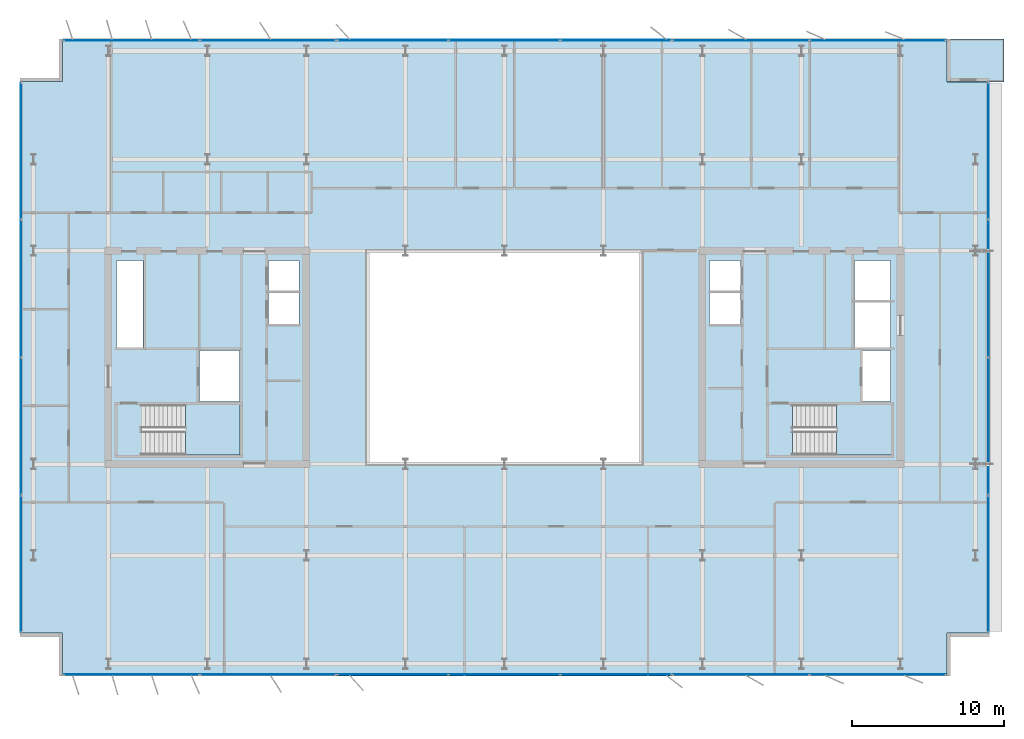
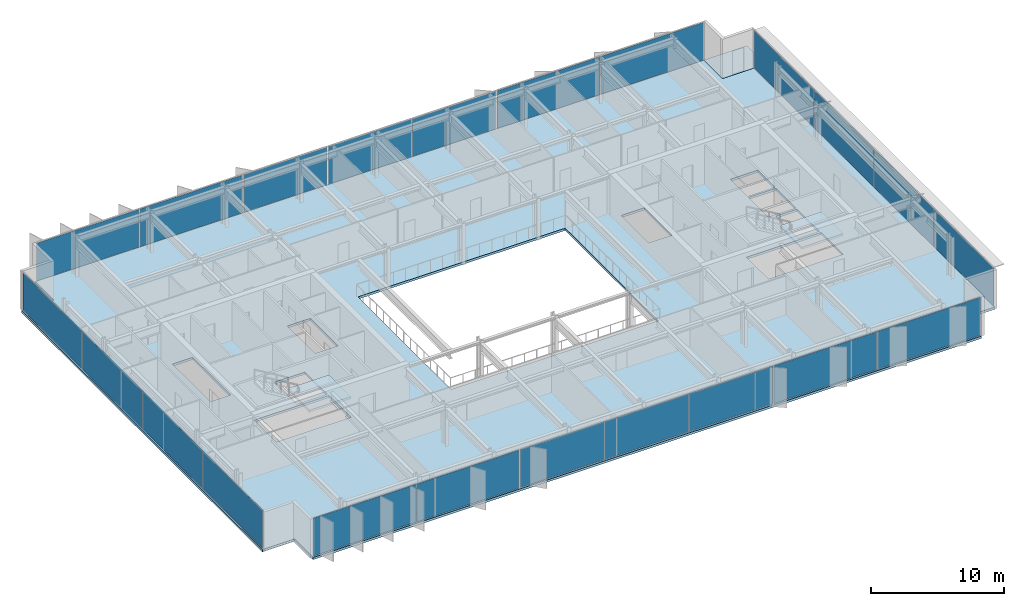
# One storey, part 10 of 19: 22 plates, 4 slabs, 10 elements without a shape of their own.
"""IFC4 building model written with IfcOpenShell, lengths in metres."""

from ifc_helpers import new_model, si_unit, direction, frame, origin, origin_2d, place, context, subcontext, project, spatial, polyline, rectangle, outline, extrude, material, layer, layer_set, type_object, element, aggregate, save


model = new_model("IFC4")

# Units and contexts
model_context = context("Model", 3, precision=1e-05, world=origin(), true_north=direction((0.0, 1.0)))
body_context = subcontext(model_context, "Body", "Model", "MODEL_VIEW")
ifc_project = project(units=[si_unit("LENGTHUNIT", "METRE"), si_unit("AREAUNIT", "SQUARE_METRE"), si_unit("VOLUMEUNIT", "CUBIC_METRE"), si_unit("PLANEANGLEUNIT", "RADIAN"), si_unit("MASSUNIT", "GRAM", prefix="KILO")], contexts=[model_context])

# Site, building, storey
site_placement = place(None, origin())
site = spatial("IfcSite", under=ifc_project, at=site_placement, CompositionType="ELEMENT")
building_placement = place(site_placement, origin())
building = spatial("IfcBuilding", under=site, at=building_placement, Name="Putna Gate Headquarters", CompositionType="ELEMENT")
storey_placement = place(building_placement, frame((0.0, 0.0, 259.39990234375)))
storey = spatial("IfcBuildingStorey", under=building, at=storey_placement, Name="L65", CompositionType="ELEMENT", Elevation=259.39990234375)

# Stair, slab
ifc_material_1 = material(Name="Concrete C40/50", Category="concrete")
stair_type_1 = type_object("IfcStairType", Name="STAIR-ST1", PredefinedType="HALF_TURN_STAIR", material=ifc_material_1)
stair_1_placement = place(storey_placement, origin())
stair_1 = element("IfcStair", 1, at=stair_1_placement, inside=storey, type_object=stair_type_1, Name="L65 West Core Exit Stair ST1", PredefinedType="HALF_TURN_STAIR")
ifc_layer_1 = layer(ifc_material_1, 0.199951171875)
ifc_layer_set_1 = layer_set([ifc_layer_1], Name="Concrete C40/50")
slab_type_1 = type_object("IfcSlabType", Name="LANDING-ST1", PredefinedType="LANDING", material=ifc_layer_set_1)
slab_1_placement = place(storey_placement, frame((0.0, 0.0, 1.7001953125)))
slab_1 = element("IfcSlab", 2, at=slab_1_placement, type_object=slab_type_1, Name="ST1 landing 1", PredefinedType="LANDING", context=body_context, shape_type="SweptSolid", body=[
    extrude(outline(polyline([(18.050048828125, 19.60009765625), (21.64990234375, 19.60009765625), (21.64990234375, 22.89990234375), (18.050048828125, 22.89990234375), (18.050048828125, 19.60009765625)])), origin(), (0.0, 0.0, 1.0), 0.199951171875),
])
aggregate(stair_1, [slab_1])

stair_type_2 = type_object("IfcStairType", Name="STAIR-ST2", PredefinedType="HALF_TURN_STAIR", material=ifc_material_1)
stair_2_placement = place(storey_placement, origin())
stair_2 = element("IfcStair", 3, at=stair_2_placement, inside=storey, type_object=stair_type_2, Name="L65 East Core Exit Stair ST2", PredefinedType="HALF_TURN_STAIR")
ifc_layer_2 = layer(ifc_material_1, 0.199951171875)
ifc_layer_set_2 = layer_set([ifc_layer_2], Name="Concrete C40/50")
slab_type_2 = type_object("IfcSlabType", Name="LANDING-ST2", PredefinedType="LANDING", material=ifc_layer_set_2)
slab_2_placement = place(storey_placement, frame((0.0, 0.0, 1.7001953125)))
slab_2 = element("IfcSlab", 4, at=slab_2_placement, type_object=slab_type_2, Name="ST2 landing 1", PredefinedType="LANDING", context=body_context, shape_type="SweptSolid", body=[
    extrude(outline(polyline([(60.800048828125, 19.60009765625), (64.39990234375, 19.60009765625), (64.39990234375, 22.89990234375), (60.800048828125, 22.89990234375), (60.800048828125, 19.60009765625)])), origin(), (0.0, 0.0, 1.0), 0.199951171875),
])
aggregate(stair_2, [slab_2])

# Curtain wall, plates
ifc_material_2 = material(Name="Anodised bronze aluminium curtain wall", Category="aluminium")
ifc_layer_3 = layer(ifc_material_2, 0.179931640625)
ifc_layer_set_3 = layer_set([ifc_layer_3], Name="Anodised bronze aluminium curtain wall")
curtain_wall_type_1 = type_object("IfcCurtainWallType", Name="CW-SYS-Z5", PredefinedType="USERDEFINED", material=ifc_layer_set_3)
curtain_wall_1_placement = place(storey_placement, origin())
curtain_wall_1 = element("IfcCurtainWall", 5, at=curtain_wall_1_placement, inside=storey, type_object=curtain_wall_type_1, Name="L65 South West Curtain Wall", ObjectType="STICK CURTAIN WALL", PredefinedType="USERDEFINED")
ifc_material_3 = material(Name="Solar-control triple low-E glass", Category="glass")
ifc_layer_4 = layer(ifc_material_3, 0.033935546875)
ifc_layer_set_4 = layer_set([ifc_layer_4], Name="Solar-control triple low-E glass")
plate_type_1 = type_object("IfcPlateType", Name="PAN-CWP-5", PredefinedType="CURTAIN_PANEL", material=ifc_layer_set_4)
plate_1_placement = place(storey_placement, frame((14.517578125, 5.179931640625, 0.06005859375), z_axis=(0.0, 0.0, 1.0), x_axis=(1.0, 0.0, 0.0)))
plate_1 = element("IfcPlate", 6, at=plate_1_placement, type_object=plate_type_1, Name="CWS-5 panel 1.1", PredefinedType="CURTAIN_PANEL", context=body_context, shape_type="SweptSolid", body=[
    extrude(rectangle(XDim=8.89501953125, YDim=0.033935546875, at=origin_2d()), origin(), (0.0, 0.0, 1.0), 3.468017578125),
])
plate_2_placement = place(storey_placement, frame((23.482421875, 5.179931640625, 0.06005859375), z_axis=(0.0, 0.0, 1.0), x_axis=(1.0, 0.0, 0.0)))
plate_2 = element("IfcPlate", 7, at=plate_2_placement, type_object=plate_type_1, Name="CWS-5 panel 2.1", PredefinedType="CURTAIN_PANEL", context=body_context, shape_type="SweptSolid", body=[
    extrude(rectangle(XDim=8.89501953125, YDim=0.033935546875, at=origin_2d()), origin(), (0.0, 0.0, 1.0), 3.468017578125),
])
aggregate(curtain_wall_1, [plate_1, plate_2])

curtain_wall_2_placement = place(storey_placement, origin())
curtain_wall_2 = element("IfcCurtainWall", 8, at=curtain_wall_2_placement, inside=storey, type_object=curtain_wall_type_1, Name="L65 South East Curtain Wall", ObjectType="STICK CURTAIN WALL", PredefinedType="USERDEFINED")
plate_3_placement = place(storey_placement, frame((54.529541015625, 5.179931640625, 0.06005859375), z_axis=(0.0, 0.0, 1.0), x_axis=(1.0, 0.0, 0.0)))
plate_3 = element("IfcPlate", 9, at=plate_3_placement, type_object=plate_type_1, Name="CWS-5 panel 1.1", PredefinedType="CURTAIN_PANEL", context=body_context, shape_type="SweptSolid", body=[
    extrude(rectangle(XDim=8.9189453125, YDim=0.033935546875, at=origin_2d()), origin(), (0.0, 0.0, 1.0), 3.468017578125),
])
plate_4_placement = place(storey_placement, frame((63.518310546875, 5.179931640625, 0.06005859375), z_axis=(0.0, 0.0, 1.0), x_axis=(1.0, 0.0, 0.0)))
plate_4 = element("IfcPlate", 10, at=plate_4_placement, type_object=plate_type_1, Name="CWS-5 panel 2.1", PredefinedType="CURTAIN_PANEL", context=body_context, shape_type="SweptSolid", body=[
    extrude(rectangle(XDim=8.9189453125, YDim=0.033935546875, at=origin_2d()), origin(), (0.0, 0.0, 1.0), 3.468017578125),
])
aggregate(curtain_wall_2, [plate_3, plate_4])

curtain_wall_3_placement = place(storey_placement, origin())
curtain_wall_3 = element("IfcCurtainWall", 11, at=curtain_wall_3_placement, inside=storey, type_object=curtain_wall_type_1, Name="L65 North West Curtain Wall", ObjectType="STICK CURTAIN WALL", PredefinedType="USERDEFINED")
plate_5_placement = place(storey_placement, frame((14.517578125, 46.820068359375, 0.06005859375), z_axis=(0.0, 0.0, 1.0), x_axis=(1.0, 0.0, 0.0)))
plate_5 = element("IfcPlate", 12, at=plate_5_placement, type_object=plate_type_1, Name="CWS-5 panel 1.1", PredefinedType="CURTAIN_PANEL", context=body_context, shape_type="SweptSolid", body=[
    extrude(rectangle(XDim=8.89501953125, YDim=0.033935546875, at=origin_2d()), origin(), (0.0, 0.0, 1.0), 3.468017578125),
])
plate_6_placement = place(storey_placement, frame((23.482421875, 46.820068359375, 0.06005859375), z_axis=(0.0, 0.0, 1.0), x_axis=(1.0, 0.0, 0.0)))
plate_6 = element("IfcPlate", 13, at=plate_6_placement, type_object=plate_type_1, Name="CWS-5 panel 2.1", PredefinedType="CURTAIN_PANEL", context=body_context, shape_type="SweptSolid", body=[
    extrude(rectangle(XDim=8.89501953125, YDim=0.033935546875, at=origin_2d()), origin(), (0.0, 0.0, 1.0), 3.468017578125),
])
aggregate(curtain_wall_3, [plate_5, plate_6])

curtain_wall_4_placement = place(storey_placement, origin())
curtain_wall_4 = element("IfcCurtainWall", 14, at=curtain_wall_4_placement, inside=storey, type_object=curtain_wall_type_1, Name="L65 North East Curtain Wall", ObjectType="STICK CURTAIN WALL", PredefinedType="USERDEFINED")
plate_7_placement = place(storey_placement, frame((54.529541015625, 46.820068359375, 0.06005859375), z_axis=(0.0, 0.0, 1.0), x_axis=(1.0, 0.0, 0.0)))
plate_7 = element("IfcPlate", 15, at=plate_7_placement, type_object=plate_type_1, Name="CWS-5 panel 1.1", PredefinedType="CURTAIN_PANEL", context=body_context, shape_type="SweptSolid", body=[
    extrude(rectangle(XDim=8.9189453125, YDim=0.033935546875, at=origin_2d()), origin(), (0.0, 0.0, 1.0), 3.468017578125),
])
plate_8_placement = place(storey_placement, frame((63.518310546875, 46.820068359375, 0.06005859375), z_axis=(0.0, 0.0, 1.0), x_axis=(1.0, 0.0, 0.0)))
plate_8 = element("IfcPlate", 16, at=plate_8_placement, type_object=plate_type_1, Name="CWS-5 panel 2.1", PredefinedType="CURTAIN_PANEL", context=body_context, shape_type="SweptSolid", body=[
    extrude(rectangle(XDim=8.9189453125, YDim=0.033935546875, at=origin_2d()), origin(), (0.0, 0.0, 1.0), 3.468017578125),
])
aggregate(curtain_wall_4, [plate_7, plate_8])

curtain_wall_5_placement = place(storey_placement, origin())
curtain_wall_5 = element("IfcCurtainWall", 17, at=curtain_wall_5_placement, inside=storey, type_object=curtain_wall_type_1, Name="L65 West Curtain Wall", ObjectType="STICK CURTAIN WALL", PredefinedType="USERDEFINED")
plate_9_placement = place(storey_placement, frame((7.280029296875, 12.4423828125, 0.06005859375), z_axis=(0.0, 0.0, 1.0), x_axis=(0.0, 1.0, 0.0)))
plate_9 = element("IfcPlate", 18, at=plate_9_placement, type_object=plate_type_1, Name="CWS-5 panel 1.1", PredefinedType="CURTAIN_PANEL", context=body_context, shape_type="SweptSolid", body=[
    extrude(rectangle(XDim=8.945068359375, YDim=0.033935546875, at=origin_2d()), origin(), (0.0, 0.0, 1.0), 3.468017578125),
])
plate_10_placement = place(storey_placement, frame((7.280029296875, 21.47509765625, 0.06005859375), z_axis=(0.0, 0.0, 1.0), x_axis=(0.0, 1.0, 0.0)))
plate_10 = element("IfcPlate", 19, at=plate_10_placement, type_object=plate_type_1, Name="CWS-5 panel 2.1", PredefinedType="CURTAIN_PANEL", context=body_context, shape_type="SweptSolid", body=[
    extrude(rectangle(XDim=8.97998046875, YDim=0.033935546875, at=origin_2d()), origin(), (0.0, 0.0, 1.0), 3.468017578125),
])
plate_11_placement = place(storey_placement, frame((7.280029296875, 30.52490234375, 0.06005859375), z_axis=(0.0, 0.0, 1.0), x_axis=(0.0, 1.0, 0.0)))
plate_11 = element("IfcPlate", 20, at=plate_11_placement, type_object=plate_type_1, Name="CWS-5 panel 3.1", PredefinedType="CURTAIN_PANEL", context=body_context, shape_type="SweptSolid", body=[
    extrude(rectangle(XDim=8.97998046875, YDim=0.033935546875, at=origin_2d()), origin(), (0.0, 0.0, 1.0), 3.468017578125),
])
plate_12_placement = place(storey_placement, frame((7.280029296875, 39.5576171875, 0.06005859375), z_axis=(0.0, 0.0, 1.0), x_axis=(0.0, 1.0, 0.0)))
plate_12 = element("IfcPlate", 21, at=plate_12_placement, type_object=plate_type_1, Name="CWS-5 panel 4.1", PredefinedType="CURTAIN_PANEL", context=body_context, shape_type="SweptSolid", body=[
    extrude(rectangle(XDim=8.945068359375, YDim=0.033935546875, at=origin_2d()), origin(), (0.0, 0.0, 1.0), 3.468017578125),
])
aggregate(curtain_wall_5, [plate_9, plate_10, plate_11, plate_12])

curtain_wall_6_placement = place(storey_placement, origin())
curtain_wall_6 = element("IfcCurtainWall", 22, at=curtain_wall_6_placement, inside=storey, type_object=curtain_wall_type_1, Name="L65 East Curtain Wall", ObjectType="STICK CURTAIN WALL", PredefinedType="USERDEFINED")
plate_13_placement = place(storey_placement, frame((70.767822265625, 12.4423828125, 0.06005859375), z_axis=(0.0, 0.0, 1.0), x_axis=(0.0, 1.0, 0.0)))
plate_13 = element("IfcPlate", 23, at=plate_13_placement, type_object=plate_type_1, Name="CWS-5 panel 1.1", PredefinedType="CURTAIN_PANEL", context=body_context, shape_type="SweptSolid", body=[
    extrude(rectangle(XDim=8.945068359375, YDim=0.033935546875, at=origin_2d()), origin(), (0.0, 0.0, 1.0), 3.468017578125),
])
plate_14_placement = place(storey_placement, frame((70.767822265625, 21.47509765625, 0.06005859375), z_axis=(0.0, 0.0, 1.0), x_axis=(0.0, 1.0, 0.0)))
plate_14 = element("IfcPlate", 24, at=plate_14_placement, type_object=plate_type_1, Name="CWS-5 panel 2.1", PredefinedType="CURTAIN_PANEL", context=body_context, shape_type="SweptSolid", body=[
    extrude(rectangle(XDim=8.97998046875, YDim=0.033935546875, at=origin_2d()), origin(), (0.0, 0.0, 1.0), 3.468017578125),
])
plate_15_placement = place(storey_placement, frame((70.767822265625, 30.52490234375, 0.06005859375), z_axis=(0.0, 0.0, 1.0), x_axis=(0.0, 1.0, 0.0)))
plate_15 = element("IfcPlate", 25, at=plate_15_placement, type_object=plate_type_1, Name="CWS-5 panel 3.1", PredefinedType="CURTAIN_PANEL", context=body_context, shape_type="SweptSolid", body=[
    extrude(rectangle(XDim=8.97998046875, YDim=0.033935546875, at=origin_2d()), origin(), (0.0, 0.0, 1.0), 3.468017578125),
])
plate_16_placement = place(storey_placement, frame((70.767822265625, 39.5576171875, 0.06005859375), z_axis=(0.0, 0.0, 1.0), x_axis=(0.0, 1.0, 0.0)))
plate_16 = element("IfcPlate", 26, at=plate_16_placement, type_object=plate_type_1, Name="CWS-5 panel 4.1", PredefinedType="CURTAIN_PANEL", context=body_context, shape_type="SweptSolid", body=[
    extrude(rectangle(XDim=8.945068359375, YDim=0.033935546875, at=origin_2d()), origin(), (0.0, 0.0, 1.0), 3.468017578125),
])
aggregate(curtain_wall_6, [plate_13, plate_14, plate_15, plate_16])

ifc_layer_5 = layer(ifc_material_2, 0.179931640625)
ifc_layer_set_5 = layer_set([ifc_layer_5], Name="Anodised bronze aluminium curtain wall")
curtain_wall_type_2 = type_object("IfcCurtainWallType", Name="CW-SYS-ATR", PredefinedType="USERDEFINED", material=ifc_layer_set_5)
curtain_wall_7_placement = place(storey_placement, origin())
curtain_wall_7 = element("IfcCurtainWall", 27, at=curtain_wall_7_placement, inside=storey, type_object=curtain_wall_type_2, Name="L65 South Atrium Clear Glazing", ObjectType="ATRIUM GLAZING", PredefinedType="USERDEFINED")
ifc_material_4 = material(Name="Clear low-iron triple glazing", Category="glass")
ifc_layer_6 = layer(ifc_material_4, 0.0400390625)
ifc_layer_set_6 = layer_set([ifc_layer_6], Name="Clear low-iron triple glazing")
plate_type_2 = type_object("IfcPlateType", Name="PAN-CWP-AT", PredefinedType="CURTAIN_PANEL", material=ifc_layer_set_6)
plate_17_placement = place(storey_placement, frame((31.68408203125, 5.179931640625, 0.0703125), z_axis=(0.0, 0.0, 1.0), x_axis=(1.0, 0.0, 0.0)))
plate_17 = element("IfcPlate", 28, at=plate_17_placement, type_object=plate_type_2, Name="CWS-AT panel 1.1", PredefinedType="CURTAIN_PANEL", context=body_context, shape_type="SweptSolid", body=[
    extrude(rectangle(XDim=7.228271484375, YDim=0.0400390625, at=origin_2d()), origin(), (0.0, 0.0, 1.0), 3.447998046875),
])
plate_18_placement = place(storey_placement, frame((39.0, 5.179931640625, 0.0703125), z_axis=(0.0, 0.0, 1.0), x_axis=(1.0, 0.0, 0.0)))
plate_18 = element("IfcPlate", 29, at=plate_18_placement, type_object=plate_type_2, Name="CWS-AT panel 2.1", PredefinedType="CURTAIN_PANEL", context=body_context, shape_type="SweptSolid", body=[
    extrude(rectangle(XDim=7.263427734375, YDim=0.0400390625, at=origin_2d()), origin(), (0.0, 0.0, 1.0), 3.447998046875),
])
plate_19_placement = place(storey_placement, frame((46.31591796875, 5.179931640625, 0.0703125), z_axis=(0.0, 0.0, 1.0), x_axis=(1.0, 0.0, 0.0)))
plate_19 = element("IfcPlate", 30, at=plate_19_placement, type_object=plate_type_2, Name="CWS-AT panel 3.1", PredefinedType="CURTAIN_PANEL", context=body_context, shape_type="SweptSolid", body=[
    extrude(rectangle(XDim=7.228271484375, YDim=0.0400390625, at=origin_2d()), origin(), (0.0, 0.0, 1.0), 3.447998046875),
])
aggregate(curtain_wall_7, [plate_17, plate_18, plate_19])

curtain_wall_8_placement = place(storey_placement, origin())
curtain_wall_8 = element("IfcCurtainWall", 31, at=curtain_wall_8_placement, inside=storey, type_object=curtain_wall_type_2, Name="L65 North Atrium Clear Glazing", ObjectType="ATRIUM GLAZING", PredefinedType="USERDEFINED")
plate_20_placement = place(storey_placement, frame((31.68408203125, 46.820068359375, 0.0703125), z_axis=(0.0, 0.0, 1.0), x_axis=(1.0, 0.0, 0.0)))
plate_20 = element("IfcPlate", 32, at=plate_20_placement, type_object=plate_type_2, Name="CWS-AT panel 1.1", PredefinedType="CURTAIN_PANEL", context=body_context, shape_type="SweptSolid", body=[
    extrude(rectangle(XDim=7.228271484375, YDim=0.0400390625, at=origin_2d()), origin(), (0.0, 0.0, 1.0), 3.447998046875),
])
plate_21_placement = place(storey_placement, frame((39.0, 46.820068359375, 0.0703125), z_axis=(0.0, 0.0, 1.0), x_axis=(1.0, 0.0, 0.0)))
plate_21 = element("IfcPlate", 33, at=plate_21_placement, type_object=plate_type_2, Name="CWS-AT panel 2.1", PredefinedType="CURTAIN_PANEL", context=body_context, shape_type="SweptSolid", body=[
    extrude(rectangle(XDim=7.263427734375, YDim=0.0400390625, at=origin_2d()), origin(), (0.0, 0.0, 1.0), 3.447998046875),
])
plate_22_placement = place(storey_placement, frame((46.31591796875, 46.820068359375, 0.0703125), z_axis=(0.0, 0.0, 1.0), x_axis=(1.0, 0.0, 0.0)))
plate_22 = element("IfcPlate", 34, at=plate_22_placement, type_object=plate_type_2, Name="CWS-AT panel 3.1", PredefinedType="CURTAIN_PANEL", context=body_context, shape_type="SweptSolid", body=[
    extrude(rectangle(XDim=7.228271484375, YDim=0.0400390625, at=origin_2d()), origin(), (0.0, 0.0, 1.0), 3.447998046875),
])
aggregate(curtain_wall_8, [plate_20, plate_21, plate_22])

# Slabs
ifc_layer_7 = layer(ifc_material_1, 0.179931640625)
ifc_layer_set_7 = layer_set([ifc_layer_7], Name="Concrete C40/50")
slab_type_3 = type_object("IfcSlabType", Name="SLAB-TERRACE-180", PredefinedType="FLOOR", material=ifc_layer_set_7)
slab_3_placement = place(storey_placement, frame((0.0, 0.0, -0.179931640625)))
element("IfcSlab", 35, at=slab_3_placement, inside=storey, type_object=slab_type_3, Name="L65 Spiral Sky-Garden Terrace Slab (NE)", PredefinedType="FLOOR", context=body_context, shape_type="SweptSolid", body=[
    extrude(outline(polyline([(68.039794921875, 44.092041015625), (71.7978515625, 44.092041015625), (71.7978515625, 46.89990234375), (68.039794921875, 46.89990234375), (68.039794921875, 44.092041015625)])), origin(), (0.0, 0.0, 1.0), 0.179931640625),
])
ifc_layer_8 = layer(ifc_material_1, 0.2119140625)
ifc_layer_set_8 = layer_set([ifc_layer_8], Name="Concrete C40/50")
slab_type_4 = type_object("IfcSlabType", Name="SLAB-Z5-212", PredefinedType="FLOOR", material=ifc_layer_set_8)
slab_4_placement = place(storey_placement, frame((0.0, 0.0, -0.2119140625)))
element("IfcSlab", 36, at=slab_4_placement, inside=storey, type_object=slab_type_4, Name="L65 Composite Floor Slab", PredefinedType="FLOOR", context=body_context, shape_type="SweptSolid", body=[
    extrude(outline(polyline([(10.0, 5.10009765625), (68.0478515625, 5.10009765625), (68.0478515625, 7.89990234375), (70.847900390625, 7.89990234375), (70.847900390625, 44.10009765625), (68.0478515625, 44.10009765625), (68.0478515625, 46.89990234375), (10.0, 46.89990234375), (10.0, 44.10009765625), (7.199951171875, 44.10009765625), (7.199951171875, 7.89990234375), (10.0, 7.89990234375), (10.0, 5.10009765625)]), holes=[polyline([(15.1650390625, 19.60009765625), (21.64990234375, 19.60009765625), (21.64990234375, 22.89990234375), (15.1650390625, 22.89990234375), (15.1650390625, 19.60009765625)]), polyline([(57.9150390625, 19.60009765625), (64.39990234375, 19.60009765625), (64.39990234375, 22.89990234375), (57.9150390625, 22.89990234375), (57.9150390625, 19.60009765625)]), polyline([(13.52001953125, 26.659912109375), (15.280029296875, 26.659912109375), (15.280029296875, 32.35009765625), (13.52001953125, 32.35009765625), (13.52001953125, 26.659912109375)]), polyline([(61.969970703125, 29.780029296875), (64.35009765625, 29.780029296875), (64.35009765625, 32.35009765625), (61.969970703125, 32.35009765625), (61.969970703125, 29.780029296875)]), polyline([(18.97998046875, 23.1201171875), (21.6201171875, 23.1201171875), (21.6201171875, 26.4599609375), (18.97998046875, 26.4599609375), (18.97998046875, 23.1201171875)]), polyline([(62.52001953125, 23.1201171875), (64.35009765625, 23.1201171875), (64.35009765625, 26.4599609375), (62.52001953125, 26.4599609375), (62.52001953125, 23.1201171875)]), polyline([(61.969970703125, 26.659912109375), (64.35009765625, 26.659912109375), (64.35009765625, 29.6201171875), (61.969970703125, 29.6201171875), (61.969970703125, 26.659912109375)]), polyline([(23.5, 28.199951171875), (25.5, 28.199951171875), (25.5, 32.35009765625), (23.5, 32.35009765625), (23.5, 28.199951171875)]), polyline([(52.47998046875, 28.199951171875), (54.5, 28.199951171875), (54.5, 32.35009765625), (52.47998046875, 32.35009765625), (52.47998046875, 28.199951171875)]), polyline([(30.0, 19.0), (48.0, 19.0), (48.0, 33.0), (30.0, 33.0), (30.0, 19.0)])]), origin(), (0.0, 0.0, 1.0), 0.2119140625),
])

save(model, "model.ifc")
